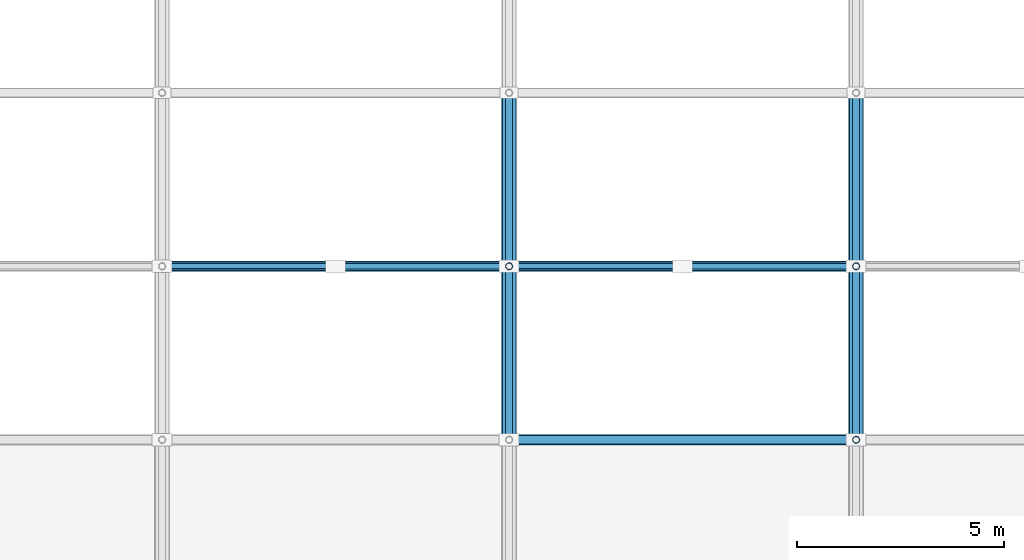
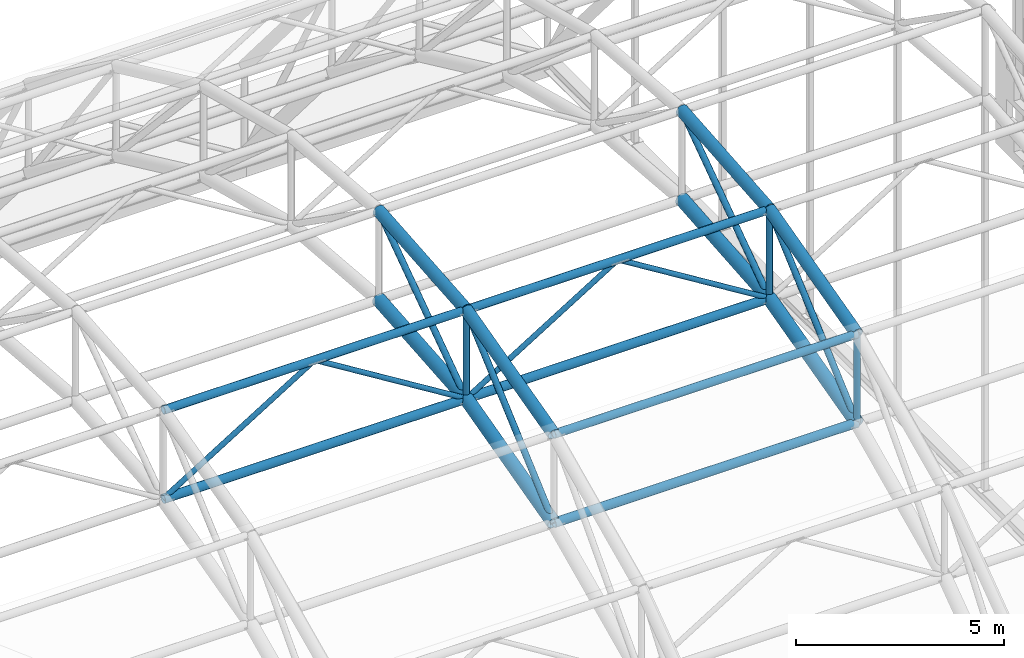
# One storey, part 34 of 103: 17 members, 8 beams.
"""IFC4 building model written with IfcOpenShell, lengths in metres."""

from ifc_helpers import new_model, si_unit, direction, frame, origin, origin_2d, place, context, subcontext, project, spatial, hollow_circle, extrude, material, material_profile, profile_set, type_object, element, save


model = new_model("IFC4")

# Units and contexts
model_context = context("Model", 3, precision=1e-05, world=origin(), true_north=direction((0.0, 1.0)))
body_context = subcontext(model_context, "Body", "Model", "MODEL_VIEW")
ifc_project = project(units=[si_unit("LENGTHUNIT", "METRE"), si_unit("AREAUNIT", "SQUARE_METRE"), si_unit("VOLUMEUNIT", "CUBIC_METRE"), si_unit("PLANEANGLEUNIT", "RADIAN"), si_unit("MASSUNIT", "GRAM", prefix="KILO")], contexts=[model_context])

# Site, building, storey
site_placement = place(None, origin())
site = spatial("IfcSite", under=ifc_project, at=site_placement, CompositionType="ELEMENT")
building_placement = place(site_placement, origin())
building = spatial("IfcBuilding", under=site, at=building_placement, Name="Varnapada Polytechnic", CompositionType="ELEMENT")
storey_placement = place(building_placement, frame((0.0, 0.0, 18.0)))
storey = spatial("IfcBuildingStorey", under=building, at=storey_placement, Name="L04", CompositionType="ELEMENT", Elevation=18.0)

# Members
ifc_material = material(Name="Steel S355", Category="steel")
ifc_material_profile_1 = material_profile(ifc_material, hollow_circle(Radius=0.122314453125, WallThickness=0.008056640625, at=origin_2d()), Name="CHS 244.5x8.0")
ifc_profile_set_1 = profile_set([ifc_material_profile_1], Name="Steel S355")
member_type_1 = type_object("IfcMemberType", Name="Vaulted space frame longitudinal bottom chord SFC-01 (CHS 244.5x8.0)", PredefinedType="CHORD", material=ifc_profile_set_1)
member_1_placement = place(storey_placement, frame((109.199951171875, 100.800048828125, 11.080078125), z_axis=(1.0, 0.0, 0.0), x_axis=(0.0, 1.0, 0.0)))
element("IfcMember", 1, at=member_1_placement, inside=storey, type_object=member_type_1, Name="Vaulted space frame longitudinal bottom chord 8.5", PredefinedType="CHORD", context=body_context, shape_type="SweptSolid", body=[
    extrude(hollow_circle(Radius=0.122314453125, WallThickness=0.008056640625, at=origin_2d()), origin(), (0.0, 0.0, 1.0), 8.400146484375),
])
for number, where, z_axis, x_axis, name in (
    (2, (117.60009765625, 96.60009765625, 9.98193359375), (1.0, 0.0, 0.0), (0.0, 1.0, 0.0), "Vaulted space frame longitudinal bottom chord 9.4"),
    (3, (117.60009765625, 100.800048828125, 11.080078125), (1.0, 0.0, 0.0), (0.0, 1.0, 0.0), "Vaulted space frame longitudinal bottom chord 9.5"),
):
    element("IfcMember", number, at=place(storey_placement, frame(where, z_axis=z_axis, x_axis=x_axis)), inside=storey, type_object=member_type_1, Name=name, PredefinedType="CHORD", context=body_context, shape_type="SweptSolid", body=[
        extrude(hollow_circle(Radius=0.122314453125, WallThickness=0.008056640625, at=origin_2d()), origin(), (0.0, 0.0, 1.0), 8.39990234375),
    ])
ifc_material_profile_2 = material_profile(ifc_material, hollow_circle(Radius=0.109619140625, WallThickness=0.008056640625, at=origin_2d()), Name="CHS 219.1x8.0")
ifc_profile_set_2 = profile_set([ifc_material_profile_2], Name="Steel S355")
member_type_2 = type_object("IfcMemberType", Name="Vaulted space frame longitudinal top chord SFC-02 (CHS 219.1x8.0)", PredefinedType="CHORD", material=ifc_profile_set_2)
member_2_placement = place(storey_placement, frame((109.199951171875, 100.800048828125, 13.679931640625), z_axis=(1.0, 0.0, 0.0), x_axis=(0.0, 1.0, 0.0)))
element("IfcMember", 4, at=member_2_placement, inside=storey, type_object=member_type_2, Name="Vaulted space frame longitudinal top chord 8.5", PredefinedType="CHORD", context=body_context, shape_type="SweptSolid", body=[
    extrude(hollow_circle(Radius=0.109619140625, WallThickness=0.008056640625, at=origin_2d()), origin(), (0.0, 0.0, 1.0), 8.400146484375),
])
for number, where, z_axis, x_axis, name in (
    (5, (117.60009765625, 96.60009765625, 12.581787109375), (1.0, 0.0, 0.0), (0.0, 1.0, 0.0), "Vaulted space frame longitudinal top chord 9.4"),
    (6, (117.60009765625, 100.800048828125, 13.679931640625), (1.0, 0.0, 0.0), (0.0, 1.0, 0.0), "Vaulted space frame longitudinal top chord 9.5"),
):
    element("IfcMember", number, at=place(storey_placement, frame(where, z_axis=z_axis, x_axis=x_axis)), inside=storey, type_object=member_type_2, Name=name, PredefinedType="CHORD", context=body_context, shape_type="SweptSolid", body=[
        extrude(hollow_circle(Radius=0.109619140625, WallThickness=0.008056640625, at=origin_2d()), origin(), (0.0, 0.0, 1.0), 8.39990234375),
    ])

# Beams
ifc_material_profile_3 = material_profile(ifc_material, hollow_circle(Radius=0.177734375, WallThickness=0.012451171875, at=origin_2d()), Name="CHS 355.6x12.5")
ifc_profile_set_3 = profile_set([ifc_material_profile_3], Name="Steel S355")
beam_type_1 = type_object("IfcBeamType", Name="Vaulted space frame primary arch rib VA-01 (CHS 355.6x12.5)", PredefinedType="BEAM", material=ifc_profile_set_3)
beam_1_placement = place(storey_placement, frame((117.60009765625, 96.60009765625, 9.98193359375), z_axis=(0.0, 0.967476176159, 0.252962148484), x_axis=(-1.0, 0.0, 0.0)))
element("IfcBeam", 7, at=beam_1_placement, inside=storey, type_object=beam_type_1, Name="Vaulted space frame bottom arch chord 9.4", PredefinedType="BEAM", context=body_context, shape_type="SweptSolid", body=[
    extrude(hollow_circle(Radius=0.177734375, WallThickness=0.012451171875, at=origin_2d()), origin(), (0.0, 0.0, 1.0), 4.341064453125),
])
beam_2_placement = place(storey_placement, frame((117.60009765625, 100.800048828125, 11.080078125), z_axis=(0.0, 0.99644233396, 0.084277369988), x_axis=(-1.0, 0.0, 0.0)))
element("IfcBeam", 8, at=beam_2_placement, inside=storey, type_object=beam_type_1, Name="Vaulted space frame bottom arch chord 9.5", PredefinedType="BEAM", context=body_context, shape_type="SweptSolid", body=[
    extrude(hollow_circle(Radius=0.177734375, WallThickness=0.012451171875, at=origin_2d()), origin(), (0.0, 0.0, 1.0), 4.21484375),
])
beam_3_placement = place(storey_placement, frame((126.0, 96.60009765625, 9.98193359375), z_axis=(0.0, 0.967476176159, 0.252962148484), x_axis=(-1.0, 0.0, 0.0)))
element("IfcBeam", 9, at=beam_3_placement, inside=storey, type_object=beam_type_1, Name="Vaulted space frame bottom arch chord 10.4", PredefinedType="BEAM", context=body_context, shape_type="SweptSolid", body=[
    extrude(hollow_circle(Radius=0.177734375, WallThickness=0.012451171875, at=origin_2d()), origin(), (0.0, 0.0, 1.0), 4.341064453125),
])
beam_4_placement = place(storey_placement, frame((126.0, 100.800048828125, 11.080078125), z_axis=(0.0, 0.99644233396, 0.084277369988), x_axis=(-1.0, 0.0, 0.0)))
element("IfcBeam", 10, at=beam_4_placement, inside=storey, type_object=beam_type_1, Name="Vaulted space frame bottom arch chord 10.5", PredefinedType="BEAM", context=body_context, shape_type="SweptSolid", body=[
    extrude(hollow_circle(Radius=0.177734375, WallThickness=0.012451171875, at=origin_2d()), origin(), (0.0, 0.0, 1.0), 4.21484375),
])

# Members
ifc_material_profile_4 = material_profile(ifc_material, hollow_circle(Radius=0.084228515625, WallThickness=0.00634765625, at=origin_2d()), Name="CHS 168.3x6.3")
ifc_profile_set_4 = profile_set([ifc_material_profile_4], Name="Steel S355")
member_type_3 = type_object("IfcMemberType", Name="Vaulted space frame primary web diagonal SFB-01 (CHS 168.3x6.3)", PredefinedType="BRACE", material=ifc_profile_set_4)
member_3_placement = place(storey_placement, frame((117.60009765625, 96.60009765625, 9.98193359375), z_axis=(0.0, 0.750532603682, 0.660833421378), x_axis=(-1.0, 0.0, 0.0)))
element("IfcMember", 11, at=member_3_placement, inside=storey, type_object=member_type_3, Name="Vaulted space frame web diagonal 9.4", PredefinedType="BRACE", context=body_context, shape_type="SweptSolid", body=[
    extrude(hollow_circle(Radius=0.084228515625, WallThickness=0.00634765625, at=origin_2d()), origin(), (0.0, 0.0, 1.0), 5.595947265625),
])
member_4_placement = place(storey_placement, frame((117.60009765625, 100.800048828125, 11.080078125), z_axis=(0.0, 0.817824649693, 0.575467498956), x_axis=(-1.0, 0.0, 0.0)))
element("IfcMember", 12, at=member_4_placement, inside=storey, type_object=member_type_3, Name="Vaulted space frame web diagonal 9.5", PredefinedType="BRACE", context=body_context, shape_type="SweptSolid", body=[
    extrude(hollow_circle(Radius=0.084228515625, WallThickness=0.00634765625, at=origin_2d()), origin(), (0.0, 0.0, 1.0), 5.135498046875),
])
member_5_placement = place(storey_placement, frame((126.0, 96.60009765625, 9.98193359375), z_axis=(0.0, 0.750532603682, 0.660833421378), x_axis=(-1.0, 0.0, 0.0)))
element("IfcMember", 13, at=member_5_placement, inside=storey, type_object=member_type_3, Name="Vaulted space frame web diagonal 10.4", PredefinedType="BRACE", context=body_context, shape_type="SweptSolid", body=[
    extrude(hollow_circle(Radius=0.084228515625, WallThickness=0.00634765625, at=origin_2d()), origin(), (0.0, 0.0, 1.0), 5.595947265625),
])
member_6_placement = place(storey_placement, frame((126.0, 100.800048828125, 11.080078125), z_axis=(0.0, 0.817824649693, 0.575467498956), x_axis=(-1.0, 0.0, 0.0)))
element("IfcMember", 14, at=member_6_placement, inside=storey, type_object=member_type_3, Name="Vaulted space frame web diagonal 10.5", PredefinedType="BRACE", context=body_context, shape_type="SweptSolid", body=[
    extrude(hollow_circle(Radius=0.084228515625, WallThickness=0.00634765625, at=origin_2d()), origin(), (0.0, 0.0, 1.0), 5.135498046875),
])
ifc_material_profile_5 = material_profile(ifc_material, hollow_circle(Radius=0.084228515625, WallThickness=0.00634765625, at=origin_2d()), Name="CHS 168.3x6.3")
ifc_profile_set_5 = profile_set([ifc_material_profile_5], Name="Steel S355")
member_type_4 = type_object("IfcMemberType", Name="Vaulted space frame radial web strut SFS-01 (CHS 168.3x6.3)", PredefinedType="STRUT", material=ifc_profile_set_5)
for number, where, z_axis, x_axis, name in (
    (15, (117.60009765625, 100.800048828125, 11.080078125), (0.0, 0.0, 1.0), (1.0, 0.0, 0.0), "Vaulted space frame strut 9.5"),
    (16, (126.0, 96.60009765625, 9.98193359375), (0.0, 0.0, 1.0), (1.0, 0.0, 0.0), "Vaulted space frame strut 10.4"),
    (17, (126.0, 100.800048828125, 11.080078125), (0.0, 0.0, 1.0), (1.0, 0.0, 0.0), "Vaulted space frame strut 10.5"),
):
    element("IfcMember", number, at=place(storey_placement, frame(where, z_axis=z_axis, x_axis=x_axis)), inside=storey, type_object=member_type_4, Name=name, PredefinedType="STRUT", context=body_context, shape_type="SweptSolid", body=[
        extrude(hollow_circle(Radius=0.084228515625, WallThickness=0.00634765625, at=origin_2d()), origin(), (0.0, 0.0, 1.0), 2.599853515625),
    ])
ifc_material_profile_6 = material_profile(ifc_material, hollow_circle(Radius=0.06982421875, WallThickness=0.0048828125, at=origin_2d()), Name="CHS 139.7x5.0")
ifc_profile_set_6 = profile_set([ifc_material_profile_6], Name="Steel S355")
member_type_5 = type_object("IfcMemberType", Name="Vaulted space frame secondary web diagonal SFB-02 (CHS 139.7x5.0)", PredefinedType="BRACE", material=ifc_profile_set_6)
member_7_placement = place(storey_placement, frame((109.199951171875, 100.800048828125, 11.080078125), z_axis=(0.85027567993, 0.0, 0.526337598999), x_axis=(0.0, 1.0, 0.0)))
element("IfcMember", 18, at=member_7_placement, inside=storey, type_object=member_type_5, Name="Vaulted space frame longitudinal brace 8.5A", PredefinedType="BRACE", context=body_context, shape_type="SweptSolid", body=[
    extrude(hollow_circle(Radius=0.06982421875, WallThickness=0.0048828125, at=origin_2d()), origin(), (0.0, 0.0, 1.0), 4.939453125),
])
member_8_placement = place(storey_placement, frame((117.60009765625, 100.800048828125, 11.080078125), z_axis=(-0.850289371618, 0.0, 0.526315480025), x_axis=(0.0, -1.0, 0.0)))
element("IfcMember", 19, at=member_8_placement, inside=storey, type_object=member_type_5, Name="Vaulted space frame longitudinal brace 8.5B", PredefinedType="BRACE", context=body_context, shape_type="SweptSolid", body=[
    extrude(hollow_circle(Radius=0.06982421875, WallThickness=0.0048828125, at=origin_2d()), origin(), (0.0, 0.0, 1.0), 4.939697265625),
])
for number, where, z_axis, x_axis, name in (
    (20, (117.60009765625, 100.800048828125, 11.080078125), (0.85027567993, 0.0, 0.526337598999), (0.0, 1.0, 0.0), "Vaulted space frame longitudinal brace 9.5A"),
    (21, (126.0, 100.800048828125, 11.080078125), (-0.85027567993, 0.0, 0.526337598999), (0.0, -1.0, 0.0), "Vaulted space frame longitudinal brace 9.5B"),
):
    element("IfcMember", number, at=place(storey_placement, frame(where, z_axis=z_axis, x_axis=x_axis)), inside=storey, type_object=member_type_5, Name=name, PredefinedType="BRACE", context=body_context, shape_type="SweptSolid", body=[
        extrude(hollow_circle(Radius=0.06982421875, WallThickness=0.0048828125, at=origin_2d()), origin(), (0.0, 0.0, 1.0), 4.939453125),
    ])

# Beams
ifc_material_profile_7 = material_profile(ifc_material, hollow_circle(Radius=0.161865234375, WallThickness=0.010009765625, at=origin_2d()), Name="CHS 323.9x10.0")
ifc_profile_set_7 = profile_set([ifc_material_profile_7], Name="Steel S355")
beam_type_2 = type_object("IfcBeamType", Name="Vaulted space frame upper arch rib VA-02 (CHS 323.9x10.0)", PredefinedType="BEAM", material=ifc_profile_set_7)
beam_5_placement = place(storey_placement, frame((117.60009765625, 96.60009765625, 12.581787109375), z_axis=(0.0, 0.967476176159, 0.252962148484), x_axis=(-1.0, 0.0, 0.0)))
element("IfcBeam", 22, at=beam_5_placement, inside=storey, type_object=beam_type_2, Name="Vaulted space frame top arch chord 9.4", PredefinedType="BEAM", context=body_context, shape_type="SweptSolid", body=[
    extrude(hollow_circle(Radius=0.161865234375, WallThickness=0.010009765625, at=origin_2d()), origin(), (0.0, 0.0, 1.0), 4.341064453125),
])
beam_6_placement = place(storey_placement, frame((117.60009765625, 100.800048828125, 13.679931640625), z_axis=(0.0, 0.996437468128, 0.084334880753), x_axis=(-1.0, 0.0, 0.0)))
element("IfcBeam", 23, at=beam_6_placement, inside=storey, type_object=beam_type_2, Name="Vaulted space frame top arch chord 9.5", PredefinedType="BEAM", context=body_context, shape_type="SweptSolid", body=[
    extrude(hollow_circle(Radius=0.161865234375, WallThickness=0.010009765625, at=origin_2d()), origin(), (0.0, 0.0, 1.0), 4.215087890625),
])
beam_7_placement = place(storey_placement, frame((126.0, 96.60009765625, 12.581787109375), z_axis=(0.0, 0.967476176159, 0.252962148484), x_axis=(-1.0, 0.0, 0.0)))
element("IfcBeam", 24, at=beam_7_placement, inside=storey, type_object=beam_type_2, Name="Vaulted space frame top arch chord 10.4", PredefinedType="BEAM", context=body_context, shape_type="SweptSolid", body=[
    extrude(hollow_circle(Radius=0.161865234375, WallThickness=0.010009765625, at=origin_2d()), origin(), (0.0, 0.0, 1.0), 4.341064453125),
])
beam_8_placement = place(storey_placement, frame((126.0, 100.800048828125, 13.679931640625), z_axis=(0.0, 0.996437468128, 0.084334880753), x_axis=(-1.0, 0.0, 0.0)))
element("IfcBeam", 25, at=beam_8_placement, inside=storey, type_object=beam_type_2, Name="Vaulted space frame top arch chord 10.5", PredefinedType="BEAM", context=body_context, shape_type="SweptSolid", body=[
    extrude(hollow_circle(Radius=0.161865234375, WallThickness=0.010009765625, at=origin_2d()), origin(), (0.0, 0.0, 1.0), 4.215087890625),
])

save(model, "model.ifc")
